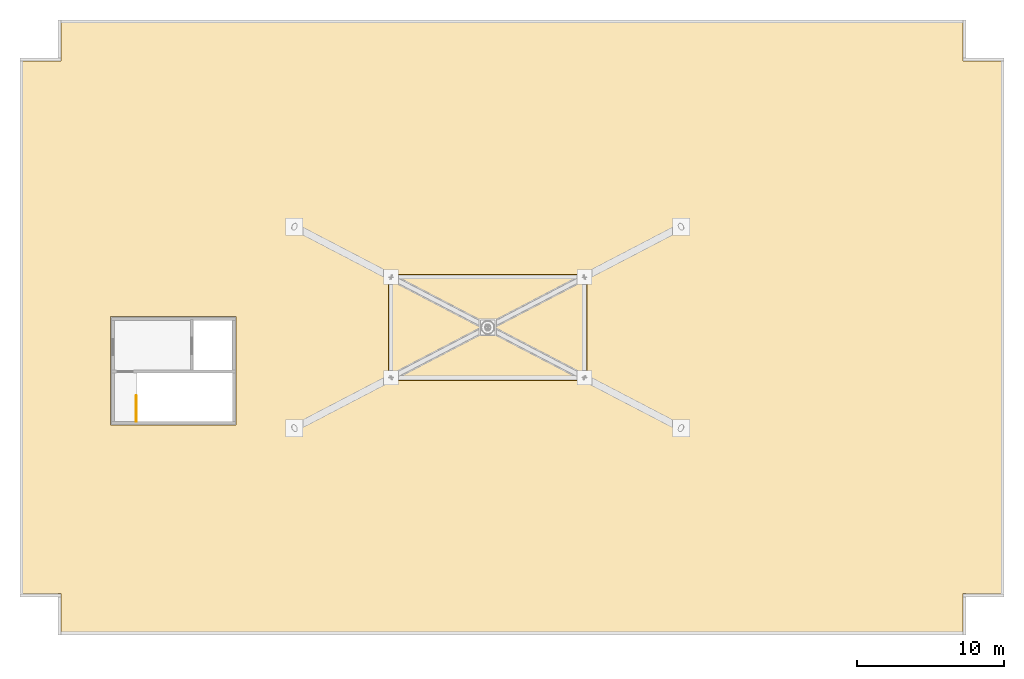
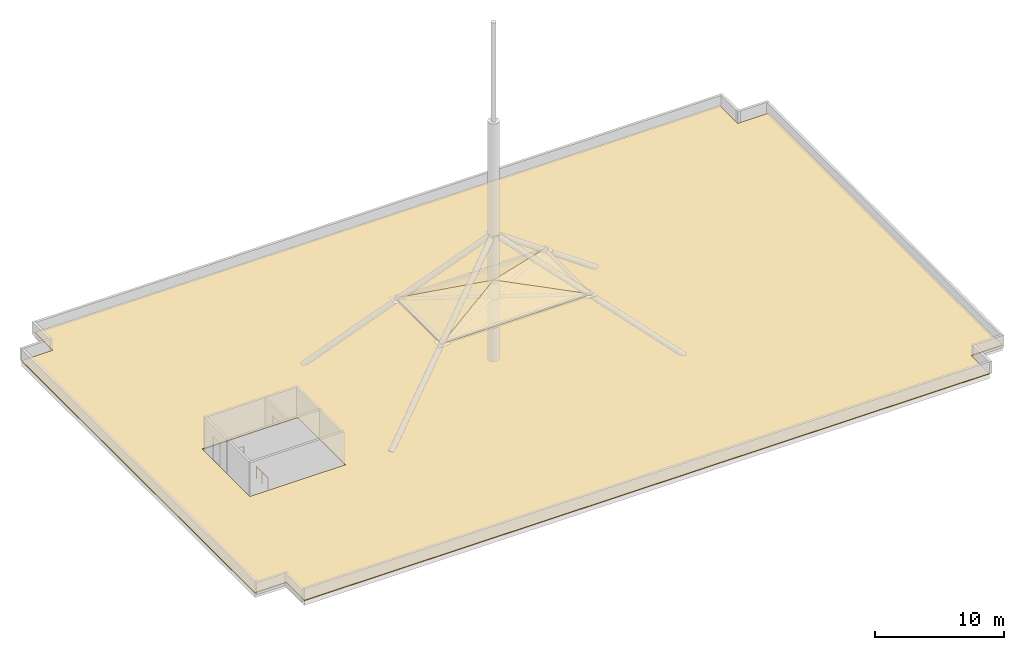
# One storey, part 8 of 8: 5 coverings, 1 railing.
"""IFC4 building model written with IfcOpenShell, lengths in metres."""

from ifc_helpers import new_model, si_unit, direction, frame, origin, origin_2d, place, context, subcontext, project, spatial, polyline, circle, outline, extrude, material, layer, layer_set, type_object, element, save


model = new_model("IFC4")

# Units and contexts
model_context = context("Model", 3, precision=1e-05, world=origin(), true_north=direction((0.0, 1.0)))
body_context = subcontext(model_context, "Body", "Model", "MODEL_VIEW")
ifc_project = project(units=[si_unit("LENGTHUNIT", "METRE"), si_unit("AREAUNIT", "SQUARE_METRE"), si_unit("VOLUMEUNIT", "CUBIC_METRE"), si_unit("PLANEANGLEUNIT", "RADIAN"), si_unit("MASSUNIT", "GRAM", prefix="KILO")], contexts=[model_context])

# Site, building, storey
site_placement = place(None, origin())
site = spatial("IfcSite", under=ifc_project, at=site_placement, CompositionType="ELEMENT")
building_placement = place(site_placement, origin())
building = spatial("IfcBuilding", under=site, at=building_placement, Name="Putna Gate Headquarters", CompositionType="ELEMENT")
storey_placement = place(building_placement, frame((0.0, 0.0, 320.39990234375)))
storey = spatial("IfcBuildingStorey", under=building, at=storey_placement, Name="RF", CompositionType="ELEMENT", Elevation=320.39990234375)

# Coverings
ifc_material_1 = material(Name="Anodised architectural bronze rainscreen cladding", Category="aluminium")
ifc_layer_1 = layer(ifc_material_1, 0.0400390625)
ifc_layer_set_1 = layer_set([ifc_layer_1], Name="Anodised architectural bronze rainscreen cladding")
covering_type_1 = type_object("IfcCoveringType", Name="COV-BRONZE-CLADDING", PredefinedType="CLADDING", material=ifc_layer_set_1)
covering_1_placement = place(storey_placement, frame((32.25, 22.39990234375, 6.02001953125), z_axis=(-0.221063056689, 0.0, 0.975259516727), x_axis=(0.865212608307, 0.461459241974, 0.196118613146)))
element("IfcCovering", 1, at=covering_1_placement, inside=storey, type_object=covering_type_1, Name="RF Needle Spire Bronze Louvre Canopy Facet 1", PredefinedType="CLADDING", context=body_context, shape_type="SweptSolid", body=[
    extrude(outline(polyline([(0.0, 0.0), (7.801550665337793, -4.163336342344337e-16), (3.322596670972352, 6.387735428161565), (0.0, 0.0)])), origin(), (0.0, 0.0, -1.0), 0.06005859375),
])
covering_2_placement = place(storey_placement, frame((32.25, 29.60009765625, 6.02001953125), z_axis=(0.0, 0.391137997153, 0.92033204181), x_axis=(0.865212608307, -0.461459241974, 0.196118613146)))
element("IfcCovering", 2, at=covering_2_placement, inside=storey, type_object=covering_type_1, Name="RF Needle Spire Bronze Louvre Canopy Facet 2", PredefinedType="CLADDING", context=body_context, shape_type="SweptSolid", body=[
    extrude(outline(polyline([(0.0, 0.0), (7.801550665337793, 2.220446049250313e-16), (11.68037021215121, 6.768969767039199), (0.0, 0.0)])), origin(), (0.0, 0.0, -1.0), 0.06005859375),
])
covering_3_placement = place(storey_placement, frame((45.75, 29.60009765625, 6.02001953125), z_axis=(0.221063056689, 0.0, 0.975259516727), x_axis=(-0.865212608307, -0.461459241974, 0.196118613146)))
element("IfcCovering", 3, at=covering_3_placement, inside=storey, type_object=covering_type_1, Name="RF Needle Spire Bronze Louvre Canopy Facet 3", PredefinedType="CLADDING", context=body_context, shape_type="SweptSolid", body=[
    extrude(outline(polyline([(0.0, 0.0), (7.801550665337793, -4.163336342344337e-16), (3.322596670972352, 6.387735428161565), (0.0, 0.0)])), origin(), (0.0, 0.0, -1.0), 0.06005859375),
])
covering_4_placement = place(storey_placement, frame((45.75, 22.39990234375, 6.02001953125), z_axis=(0.0, -0.391137997153, 0.92033204181), x_axis=(-0.865212608307, 0.461459241974, 0.196118613146)))
element("IfcCovering", 4, at=covering_4_placement, inside=storey, type_object=covering_type_1, Name="RF Needle Spire Bronze Louvre Canopy Facet 4", PredefinedType="CLADDING", context=body_context, shape_type="SweptSolid", body=[
    extrude(outline(polyline([(0.0, 0.0), (7.801550665337793, 2.220446049250313e-16), (11.68037021215121, 6.768969767039199), (0.0, 0.0)])), origin(), (0.0, 0.0, -1.0), 0.06005859375),
])
ifc_material_2 = material(Name="EPDM waterproofing membrane and tapered PIR insulation")
ifc_layer_2 = layer(ifc_material_2, 0.080078125)
ifc_layer_set_2 = layer_set([ifc_layer_2], Name="EPDM waterproofing membrane and tapered PIR insulation")
covering_type_2 = type_object("IfcCoveringType", Name="COV-ROOFING-MEMBRANE", PredefinedType="ROOFING", material=ifc_layer_set_2)
covering_5_placement = place(storey_placement, origin())
element("IfcCovering", 5, at=covering_5_placement, inside=storey, type_object=covering_type_2, Name="RF Crown Roof Waterproofing and Insulation Covering", PredefinedType="ROOFING", context=body_context, shape_type="SweptSolid", body=[
    extrude(outline(polyline([(10.0, 5.10009765625), (71.300048828125, 5.10009765625), (71.300048828125, 7.89990234375), (74.10009765625, 7.89990234375), (74.10009765625, 44.10009765625), (71.300048828125, 44.10009765625), (71.300048828125, 46.89990234375), (10.0, 46.89990234375), (10.0, 44.10009765625), (7.199951171875, 44.10009765625), (7.199951171875, 7.89990234375), (10.0, 7.89990234375), (10.0, 5.10009765625)]), holes=[polyline([(13.35009765625, 19.35009765625), (21.89990234375, 19.35009765625), (21.89990234375, 26.75), (13.35009765625, 26.75), (13.35009765625, 19.35009765625)])]), origin(), (0.0, 0.0, 1.0), 0.080078125),
])

# Railing
ifc_material_3 = material(Name="Powder-coated steel stair guardrail", Category="steel")
railing_type = type_object("IfcRailingType", Name="RAIL-STAIR-GUARD-1100", PredefinedType="GUARDRAIL", material=ifc_material_3)
railing_placement = place(storey_placement, frame((15.10009765625, 19.60009765625, 0.0)))
element("IfcRailing", 6, at=railing_placement, inside=storey, type_object=railing_type, Name="RF ST1 top well guard 1", PredefinedType="GUARDRAIL", context=body_context, shape_type="SweptSolid", body=[
    extrude(circle(Radius=0.02392578125, at=origin_2d()), frame((0.0, 0.0, 1.076171875), z_axis=(0.0, 1.0, 0.0), x_axis=(-1.0, 0.0, 0.0)), (0.0, 0.0, 1.0), 1.75),
    extrude(circle(Radius=0.02099609375, at=origin_2d()), origin(), (0.0, 0.0, 1.0), 1.052001953125),
    extrude(circle(Radius=0.02099609375, at=origin_2d()), frame((0.0, 0.875, 0.0)), (0.0, 0.0, 1.0), 1.052001953125),
    extrude(circle(Radius=0.02099609375, at=origin_2d()), frame((0.0, 1.75, 0.0)), (0.0, 0.0, 1.0), 1.052001953125),
])

save(model, "model.ifc")
